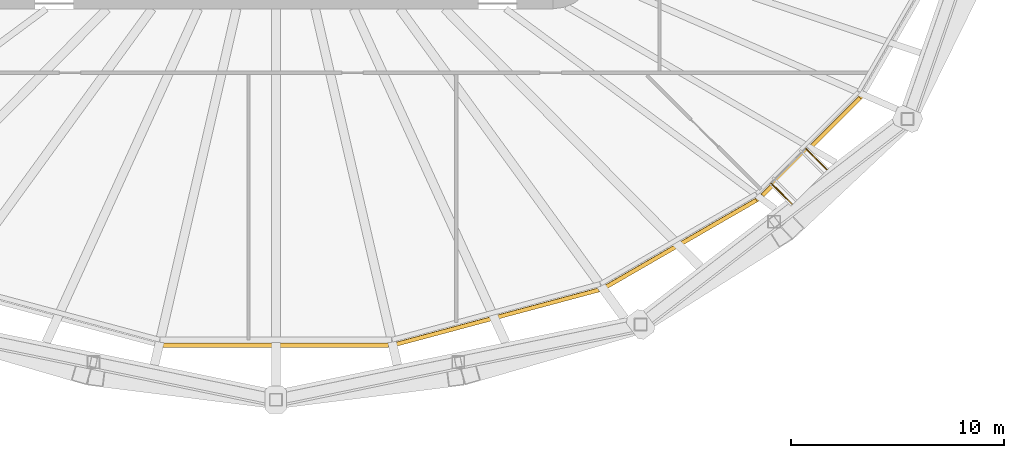
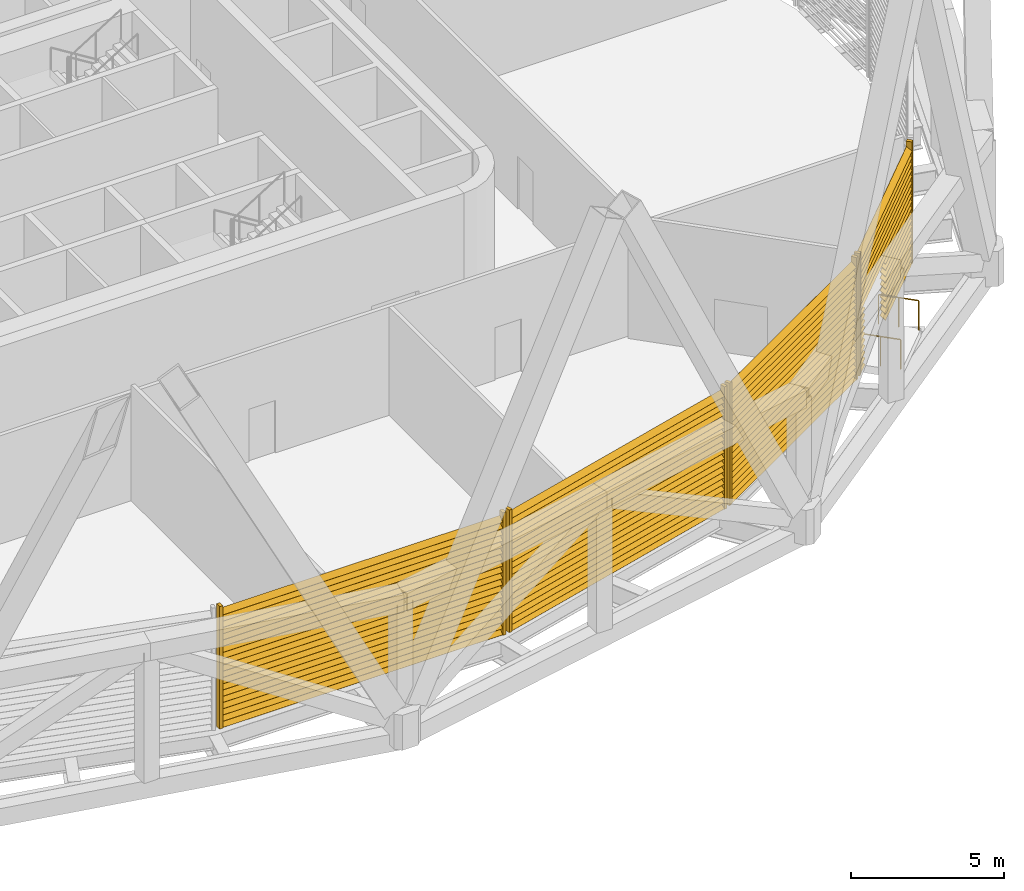
# One storey, part 14 of 18: 4 shading devices, 2 railings.
"""IFC4 building model written with IfcOpenShell, lengths in metres."""

from ifc_helpers import new_model, si_unit, direction, frame, origin, origin_2d, place, context, subcontext, project, spatial, rectangle, circle, extrude, material, type_object, element, save


model = new_model("IFC4")

# Units and contexts
model_context = context("Model", 3, precision=1e-05, world=origin(), true_north=direction((0.0, 1.0)))
body_context = subcontext(model_context, "Body", "Model", "MODEL_VIEW")
ifc_project = project(units=[si_unit("LENGTHUNIT", "METRE"), si_unit("AREAUNIT", "SQUARE_METRE"), si_unit("VOLUMEUNIT", "CUBIC_METRE"), si_unit("PLANEANGLEUNIT", "RADIAN"), si_unit("MASSUNIT", "GRAM", prefix="KILO")], contexts=[model_context])

# Site, building, storey
site_placement = place(None, origin())
site = spatial("IfcSite", under=ifc_project, at=site_placement, CompositionType="ELEMENT")
building_placement = place(site_placement, origin())
building = spatial("IfcBuilding", under=site, at=building_placement, Name="Sahrelin Media Tower", CompositionType="ELEMENT")
storey_placement = place(building_placement, frame((0.0, 0.0, 148.199951171875)))
storey = spatial("IfcBuildingStorey", under=building, at=storey_placement, Name="L30", CompositionType="ELEMENT", Elevation=148.199951171875)

# Railings
ifc_material_1 = material(Name="Stainless steel 316", Category="steel")
railing_type = type_object("IfcRailingType", Name="Maintenance platform guard", PredefinedType="GUARDRAIL", material=ifc_material_1)
railing_1_placement = place(storey_placement, frame((23.2509765625, -16.19580078125, 0.0)))
element("IfcRailing", 1, at=railing_1_placement, inside=storey, type_object=railing_type, Name="Maintenance platform guard L30-21-A", PredefinedType="GUARDRAIL", context=body_context, shape_type="SweptSolid", body=[
    extrude(circle(Radius=0.02392578125, at=origin_2d()), frame((0.0, 0.0, 1.17578125), z_axis=(0.707106781187, -0.707106781187, 0.0), x_axis=(0.707106781187, 0.707106781187, 0.0)), (0.0, 0.0, 1.0), 1.365478515625),
    extrude(circle(Radius=0.02099609375, at=origin_2d()), origin(), (0.0, 0.0, 1.0), 1.15185546875),
    extrude(circle(Radius=0.02099609375, at=origin_2d()), frame((0.48291015625, -0.48291015625, 0.0)), (0.0, 0.0, 1.0), 1.15185546875),
    extrude(circle(Radius=0.02099609375, at=origin_2d()), frame((0.965576171875, -0.965576171875, 0.0)), (0.0, 0.0, 1.0), 1.15185546875),
])
railing_2_placement = place(storey_placement, frame((24.877197265625, -14.569580078125, 0.0)))
element("IfcRailing", 2, at=railing_2_placement, inside=storey, type_object=railing_type, Name="Maintenance platform guard L30-21-B", PredefinedType="GUARDRAIL", context=body_context, shape_type="SweptSolid", body=[
    extrude(circle(Radius=0.02392578125, at=origin_2d()), frame((0.0, 0.0, 1.17578125), z_axis=(0.707285546639, -0.706927970528, 0.0), x_axis=(0.706927970528, 0.707285546639, 0.0)), (0.0, 0.0, 1.0), 1.365478515625),
    extrude(circle(Radius=0.02099609375, at=origin_2d()), origin(), (0.0, 0.0, 1.0), 1.15185546875),
    extrude(circle(Radius=0.02099609375, at=origin_2d()), frame((0.48291015625, -0.482666015625, 0.0)), (0.0, 0.0, 1.0), 1.15185546875),
    extrude(circle(Radius=0.02099609375, at=origin_2d()), frame((0.9658203125, -0.96533203125, 0.0)), (0.0, 0.0, 1.0), 1.15185546875),
])

# Shading devices
ifc_material_2 = material(Name="Champagne anodised aluminium 6063-T6", Category="aluminium")
shading_device_type = type_object("IfcShadingDeviceType", Name="Sand-rejection louvre band", PredefinedType="USERDEFINED", material=ifc_material_2)
shading_device_1_placement = place(storey_placement, frame((0.0, -23.6826171875, 0.0), z_axis=(0.0, 0.0, 1.0), x_axis=(-1.0, 0.0, 0.0)))
element("IfcShadingDevice", 3, at=shading_device_1_placement, inside=storey, type_object=shading_device_type, Name="L30:LOUVRE:L30-18", ObjectType="LOUVRE", PredefinedType="USERDEFINED", context=body_context, shape_type="SweptSolid", body=[
    extrude(rectangle(XDim=0.1201171875, YDim=0.199951171875, at=origin_2d()), frame((5.351318359375, 0.10009765625, 0.050048828125), z_axis=(0.0, 0.0, 1.0), x_axis=(1.0, 0.0, 0.0)), (0.0, 0.0, 1.0), 4.8984375),
    extrude(rectangle(XDim=0.1201171875, YDim=0.199951171875, at=origin_2d()), frame((-5.351318359375, 0.10009765625, 0.050048828125), z_axis=(0.0, 0.0, 1.0), x_axis=(1.0, 0.0, 0.0)), (0.0, 0.0, 1.0), 4.8984375),
    extrude(rectangle(XDim=0.25, YDim=0.02001953125, at=origin_2d()), frame((5.291259765625, 0.10009765625, 0.14990234375), z_axis=(-1.0, 0.0, 0.0), x_axis=(0.0, -0.766044443119, 0.642787609687)), (0.0, 0.0, 1.0), 10.58251953125),
    extrude(rectangle(XDim=0.25, YDim=0.02001953125, at=origin_2d()), frame((5.291259765625, 0.10009765625, 0.39990234375), z_axis=(-1.0, 0.0, 0.0), x_axis=(0.0, -0.766044443119, 0.642787609687)), (0.0, 0.0, 1.0), 10.58251953125),
    extrude(rectangle(XDim=0.25, YDim=0.02001953125, at=origin_2d()), frame((5.291259765625, 0.10009765625, 0.64990234375), z_axis=(-1.0, 0.0, 0.0), x_axis=(0.0, -0.766044443119, 0.642787609687)), (0.0, 0.0, 1.0), 10.58251953125),
    extrude(rectangle(XDim=0.25, YDim=0.02001953125, at=origin_2d()), frame((5.291259765625, 0.10009765625, 0.89990234375), z_axis=(-1.0, 0.0, 0.0), x_axis=(0.0, -0.766044443119, 0.642787609687)), (0.0, 0.0, 1.0), 10.58251953125),
    extrude(rectangle(XDim=0.25, YDim=0.02001953125, at=origin_2d()), frame((5.291259765625, 0.10009765625, 1.14990234375), z_axis=(-1.0, 0.0, 0.0), x_axis=(0.0, -0.766044443119, 0.642787609687)), (0.0, 0.0, 1.0), 10.58251953125),
    extrude(rectangle(XDim=0.25, YDim=0.02001953125, at=origin_2d()), frame((5.291259765625, 0.10009765625, 1.39990234375), z_axis=(-1.0, 0.0, 0.0), x_axis=(0.0, -0.766044443119, 0.642787609687)), (0.0, 0.0, 1.0), 10.58251953125),
    extrude(rectangle(XDim=0.25, YDim=0.02001953125, at=origin_2d()), frame((5.291259765625, 0.10009765625, 1.64990234375), z_axis=(-1.0, 0.0, 0.0), x_axis=(0.0, -0.766044443119, 0.642787609687)), (0.0, 0.0, 1.0), 10.58251953125),
    extrude(rectangle(XDim=0.25, YDim=0.02001953125, at=origin_2d()), frame((5.291259765625, 0.10009765625, 1.89990234375), z_axis=(-1.0, 0.0, 0.0), x_axis=(0.0, -0.766044443119, 0.642787609687)), (0.0, 0.0, 1.0), 10.58251953125),
    extrude(rectangle(XDim=0.25, YDim=0.02001953125, at=origin_2d()), frame((5.291259765625, 0.10009765625, 2.14990234375), z_axis=(-1.0, 0.0, 0.0), x_axis=(0.0, -0.766044443119, 0.642787609687)), (0.0, 0.0, 1.0), 10.58251953125),
    extrude(rectangle(XDim=0.25, YDim=0.02001953125, at=origin_2d()), frame((5.291259765625, 0.10009765625, 2.39990234375), z_axis=(-1.0, 0.0, 0.0), x_axis=(0.0, -0.766044443119, 0.642787609687)), (0.0, 0.0, 1.0), 10.58251953125),
    extrude(rectangle(XDim=0.25, YDim=0.02001953125, at=origin_2d()), frame((5.291259765625, 0.10009765625, 2.64990234375), z_axis=(-1.0, 0.0, 0.0), x_axis=(0.0, -0.766044443119, 0.642787609687)), (0.0, 0.0, 1.0), 10.58251953125),
    extrude(rectangle(XDim=0.25, YDim=0.02001953125, at=origin_2d()), frame((5.291259765625, 0.10009765625, 2.89990234375), z_axis=(-1.0, 0.0, 0.0), x_axis=(0.0, -0.766044443119, 0.642787609687)), (0.0, 0.0, 1.0), 10.58251953125),
    extrude(rectangle(XDim=0.25, YDim=0.02001953125, at=origin_2d()), frame((5.291259765625, 0.10009765625, 3.14990234375), z_axis=(-1.0, 0.0, 0.0), x_axis=(0.0, -0.766044443119, 0.642787609687)), (0.0, 0.0, 1.0), 10.58251953125),
    extrude(rectangle(XDim=0.25, YDim=0.02001953125, at=origin_2d()), frame((5.291259765625, 0.10009765625, 3.39990234375), z_axis=(-1.0, 0.0, 0.0), x_axis=(0.0, -0.766044443119, 0.642787609687)), (0.0, 0.0, 1.0), 10.58251953125),
    extrude(rectangle(XDim=0.25, YDim=0.02001953125, at=origin_2d()), frame((5.291259765625, 0.10009765625, 3.64990234375), z_axis=(-1.0, 0.0, 0.0), x_axis=(0.0, -0.766044443119, 0.642787609687)), (0.0, 0.0, 1.0), 10.58251953125),
    extrude(rectangle(XDim=0.25, YDim=0.02001953125, at=origin_2d()), frame((5.291259765625, 0.10009765625, 3.89990234375), z_axis=(-1.0, 0.0, 0.0), x_axis=(0.0, -0.766044443119, 0.642787609687)), (0.0, 0.0, 1.0), 10.58251953125),
    extrude(rectangle(XDim=0.25, YDim=0.02001953125, at=origin_2d()), frame((5.291259765625, 0.10009765625, 4.14990234375), z_axis=(-1.0, 0.0, 0.0), x_axis=(0.0, -0.766044443119, 0.642787609687)), (0.0, 0.0, 1.0), 10.58251953125),
    extrude(rectangle(XDim=0.25, YDim=0.02001953125, at=origin_2d()), frame((5.291259765625, 0.10009765625, 4.39990234375), z_axis=(-1.0, 0.0, 0.0), x_axis=(0.0, -0.766044443119, 0.642787609687)), (0.0, 0.0, 1.0), 10.58251953125),
    extrude(rectangle(XDim=0.25, YDim=0.02001953125, at=origin_2d()), frame((5.291259765625, 0.10009765625, 4.64990234375), z_axis=(-1.0, 0.0, 0.0), x_axis=(0.0, -0.766044443119, 0.642787609687)), (0.0, 0.0, 1.0), 10.58251953125),
])
shading_device_2_placement = place(storey_placement, frame((10.375, -22.36572265625, 0.0), z_axis=(0.0, 0.0, 1.0), x_axis=(-0.965928857556, -0.258807731996, 0.0)))
element("IfcShadingDevice", 4, at=shading_device_2_placement, inside=storey, type_object=shading_device_type, Name="L30:LOUVRE:L30-19", ObjectType="LOUVRE", PredefinedType="USERDEFINED", context=body_context, shape_type="SweptSolid", body=[
    extrude(rectangle(XDim=0.1201171875, YDim=0.199951171875, at=origin_2d()), frame((4.977294921875, 0.10009765625, 0.050048828125), z_axis=(0.0, 0.0, 1.0), x_axis=(1.0, 0.0, 0.0)), (0.0, 0.0, 1.0), 4.8984375),
    extrude(rectangle(XDim=0.1201171875, YDim=0.199951171875, at=origin_2d()), frame((-4.977294921875, 0.10009765625, 0.050048828125), z_axis=(0.0, 0.0, 1.0), x_axis=(1.0, 0.0, 0.0)), (0.0, 0.0, 1.0), 4.8984375),
    extrude(rectangle(XDim=0.25, YDim=0.02001953125, at=origin_2d()), frame((4.917236328125, 0.10009765625, 0.14990234375), z_axis=(-1.0, 0.0, 0.0), x_axis=(0.0, -0.766044443119, 0.642787609687)), (0.0, 0.0, 1.0), 9.83447265625),
    extrude(rectangle(XDim=0.25, YDim=0.02001953125, at=origin_2d()), frame((4.917236328125, 0.10009765625, 0.39990234375), z_axis=(-1.0, 0.0, 0.0), x_axis=(0.0, -0.766044443119, 0.642787609687)), (0.0, 0.0, 1.0), 9.83447265625),
    extrude(rectangle(XDim=0.25, YDim=0.02001953125, at=origin_2d()), frame((4.917236328125, 0.10009765625, 0.64990234375), z_axis=(-1.0, 0.0, 0.0), x_axis=(0.0, -0.766044443119, 0.642787609687)), (0.0, 0.0, 1.0), 9.83447265625),
    extrude(rectangle(XDim=0.25, YDim=0.02001953125, at=origin_2d()), frame((4.917236328125, 0.10009765625, 0.89990234375), z_axis=(-1.0, 0.0, 0.0), x_axis=(0.0, -0.766044443119, 0.642787609687)), (0.0, 0.0, 1.0), 9.83447265625),
    extrude(rectangle(XDim=0.25, YDim=0.02001953125, at=origin_2d()), frame((4.917236328125, 0.10009765625, 1.14990234375), z_axis=(-1.0, 0.0, 0.0), x_axis=(0.0, -0.766044443119, 0.642787609687)), (0.0, 0.0, 1.0), 9.83447265625),
    extrude(rectangle(XDim=0.25, YDim=0.02001953125, at=origin_2d()), frame((4.917236328125, 0.10009765625, 1.39990234375), z_axis=(-1.0, 0.0, 0.0), x_axis=(0.0, -0.766044443119, 0.642787609687)), (0.0, 0.0, 1.0), 9.83447265625),
    extrude(rectangle(XDim=0.25, YDim=0.02001953125, at=origin_2d()), frame((4.917236328125, 0.10009765625, 1.64990234375), z_axis=(-1.0, 0.0, 0.0), x_axis=(0.0, -0.766044443119, 0.642787609687)), (0.0, 0.0, 1.0), 9.83447265625),
    extrude(rectangle(XDim=0.25, YDim=0.02001953125, at=origin_2d()), frame((4.917236328125, 0.10009765625, 1.89990234375), z_axis=(-1.0, 0.0, 0.0), x_axis=(0.0, -0.766044443119, 0.642787609687)), (0.0, 0.0, 1.0), 9.83447265625),
    extrude(rectangle(XDim=0.25, YDim=0.02001953125, at=origin_2d()), frame((4.917236328125, 0.10009765625, 2.14990234375), z_axis=(-1.0, 0.0, 0.0), x_axis=(0.0, -0.766044443119, 0.642787609687)), (0.0, 0.0, 1.0), 9.83447265625),
    extrude(rectangle(XDim=0.25, YDim=0.02001953125, at=origin_2d()), frame((4.917236328125, 0.10009765625, 2.39990234375), z_axis=(-1.0, 0.0, 0.0), x_axis=(0.0, -0.766044443119, 0.642787609687)), (0.0, 0.0, 1.0), 9.83447265625),
    extrude(rectangle(XDim=0.25, YDim=0.02001953125, at=origin_2d()), frame((4.917236328125, 0.10009765625, 2.64990234375), z_axis=(-1.0, 0.0, 0.0), x_axis=(0.0, -0.766044443119, 0.642787609687)), (0.0, 0.0, 1.0), 9.83447265625),
    extrude(rectangle(XDim=0.25, YDim=0.02001953125, at=origin_2d()), frame((4.917236328125, 0.10009765625, 2.89990234375), z_axis=(-1.0, 0.0, 0.0), x_axis=(0.0, -0.766044443119, 0.642787609687)), (0.0, 0.0, 1.0), 9.83447265625),
    extrude(rectangle(XDim=0.25, YDim=0.02001953125, at=origin_2d()), frame((4.917236328125, 0.10009765625, 3.14990234375), z_axis=(-1.0, 0.0, 0.0), x_axis=(0.0, -0.766044443119, 0.642787609687)), (0.0, 0.0, 1.0), 9.83447265625),
    extrude(rectangle(XDim=0.25, YDim=0.02001953125, at=origin_2d()), frame((4.917236328125, 0.10009765625, 3.39990234375), z_axis=(-1.0, 0.0, 0.0), x_axis=(0.0, -0.766044443119, 0.642787609687)), (0.0, 0.0, 1.0), 9.83447265625),
    extrude(rectangle(XDim=0.25, YDim=0.02001953125, at=origin_2d()), frame((4.917236328125, 0.10009765625, 3.64990234375), z_axis=(-1.0, 0.0, 0.0), x_axis=(0.0, -0.766044443119, 0.642787609687)), (0.0, 0.0, 1.0), 9.83447265625),
    extrude(rectangle(XDim=0.25, YDim=0.02001953125, at=origin_2d()), frame((4.917236328125, 0.10009765625, 3.89990234375), z_axis=(-1.0, 0.0, 0.0), x_axis=(0.0, -0.766044443119, 0.642787609687)), (0.0, 0.0, 1.0), 9.83447265625),
    extrude(rectangle(XDim=0.25, YDim=0.02001953125, at=origin_2d()), frame((4.917236328125, 0.10009765625, 4.14990234375), z_axis=(-1.0, 0.0, 0.0), x_axis=(0.0, -0.766044443119, 0.642787609687)), (0.0, 0.0, 1.0), 9.83447265625),
    extrude(rectangle(XDim=0.25, YDim=0.02001953125, at=origin_2d()), frame((4.917236328125, 0.10009765625, 4.39990234375), z_axis=(-1.0, 0.0, 0.0), x_axis=(0.0, -0.766044443119, 0.642787609687)), (0.0, 0.0, 1.0), 9.83447265625),
    extrude(rectangle(XDim=0.25, YDim=0.02001953125, at=origin_2d()), frame((4.917236328125, 0.10009765625, 4.64990234375), z_axis=(-1.0, 0.0, 0.0), x_axis=(0.0, -0.766044443119, 0.642787609687)), (0.0, 0.0, 1.0), 9.83447265625),
])
shading_device_3_placement = place(storey_placement, frame((18.966552734375, -18.926025390625, 0.0), z_axis=(0.0, 0.0, 1.0), x_axis=(-0.866019052629, -0.500011000363, 0.0)))
element("IfcShadingDevice", 5, at=shading_device_3_placement, inside=storey, type_object=shading_device_type, Name="L30:LOUVRE:L30-20", ObjectType="LOUVRE", PredefinedType="USERDEFINED", context=body_context, shape_type="SweptSolid", body=[
    extrude(rectangle(XDim=0.1201171875, YDim=0.199951171875, at=origin_2d()), frame((4.136474609375, 0.10009765625, 0.050048828125), z_axis=(0.0, 0.0, 1.0), x_axis=(1.0, 0.0, 0.0)), (0.0, 0.0, 1.0), 4.8984375),
    extrude(rectangle(XDim=0.1201171875, YDim=0.199951171875, at=origin_2d()), frame((-4.136474609375, 0.10009765625, 0.050048828125), z_axis=(0.0, 0.0, 1.0), x_axis=(1.0, 0.0, 0.0)), (0.0, 0.0, 1.0), 4.8984375),
    extrude(rectangle(XDim=0.25, YDim=0.02001953125, at=origin_2d()), frame((4.076416015625, 0.10009765625, 0.14990234375), z_axis=(-1.0, 0.0, 0.0), x_axis=(0.0, -0.766044443119, 0.642787609687)), (0.0, 0.0, 1.0), 8.15283203125),
    extrude(rectangle(XDim=0.25, YDim=0.02001953125, at=origin_2d()), frame((4.076416015625, 0.10009765625, 0.39990234375), z_axis=(-1.0, 0.0, 0.0), x_axis=(0.0, -0.766044443119, 0.642787609687)), (0.0, 0.0, 1.0), 8.15283203125),
    extrude(rectangle(XDim=0.25, YDim=0.02001953125, at=origin_2d()), frame((4.076416015625, 0.10009765625, 0.64990234375), z_axis=(-1.0, 0.0, 0.0), x_axis=(0.0, -0.766044443119, 0.642787609687)), (0.0, 0.0, 1.0), 8.15283203125),
    extrude(rectangle(XDim=0.25, YDim=0.02001953125, at=origin_2d()), frame((4.076416015625, 0.10009765625, 0.89990234375), z_axis=(-1.0, 0.0, 0.0), x_axis=(0.0, -0.766044443119, 0.642787609687)), (0.0, 0.0, 1.0), 8.15283203125),
    extrude(rectangle(XDim=0.25, YDim=0.02001953125, at=origin_2d()), frame((4.076416015625, 0.10009765625, 1.14990234375), z_axis=(-1.0, 0.0, 0.0), x_axis=(0.0, -0.766044443119, 0.642787609687)), (0.0, 0.0, 1.0), 8.15283203125),
    extrude(rectangle(XDim=0.25, YDim=0.02001953125, at=origin_2d()), frame((4.076416015625, 0.10009765625, 1.39990234375), z_axis=(-1.0, 0.0, 0.0), x_axis=(0.0, -0.766044443119, 0.642787609687)), (0.0, 0.0, 1.0), 8.15283203125),
    extrude(rectangle(XDim=0.25, YDim=0.02001953125, at=origin_2d()), frame((4.076416015625, 0.10009765625, 1.64990234375), z_axis=(-1.0, 0.0, 0.0), x_axis=(0.0, -0.766044443119, 0.642787609687)), (0.0, 0.0, 1.0), 8.15283203125),
    extrude(rectangle(XDim=0.25, YDim=0.02001953125, at=origin_2d()), frame((4.076416015625, 0.10009765625, 1.89990234375), z_axis=(-1.0, 0.0, 0.0), x_axis=(0.0, -0.766044443119, 0.642787609687)), (0.0, 0.0, 1.0), 8.15283203125),
    extrude(rectangle(XDim=0.25, YDim=0.02001953125, at=origin_2d()), frame((4.076416015625, 0.10009765625, 2.14990234375), z_axis=(-1.0, 0.0, 0.0), x_axis=(0.0, -0.766044443119, 0.642787609687)), (0.0, 0.0, 1.0), 8.15283203125),
    extrude(rectangle(XDim=0.25, YDim=0.02001953125, at=origin_2d()), frame((4.076416015625, 0.10009765625, 2.39990234375), z_axis=(-1.0, 0.0, 0.0), x_axis=(0.0, -0.766044443119, 0.642787609687)), (0.0, 0.0, 1.0), 8.15283203125),
    extrude(rectangle(XDim=0.25, YDim=0.02001953125, at=origin_2d()), frame((4.076416015625, 0.10009765625, 2.64990234375), z_axis=(-1.0, 0.0, 0.0), x_axis=(0.0, -0.766044443119, 0.642787609687)), (0.0, 0.0, 1.0), 8.15283203125),
    extrude(rectangle(XDim=0.25, YDim=0.02001953125, at=origin_2d()), frame((4.076416015625, 0.10009765625, 2.89990234375), z_axis=(-1.0, 0.0, 0.0), x_axis=(0.0, -0.766044443119, 0.642787609687)), (0.0, 0.0, 1.0), 8.15283203125),
    extrude(rectangle(XDim=0.25, YDim=0.02001953125, at=origin_2d()), frame((4.076416015625, 0.10009765625, 3.14990234375), z_axis=(-1.0, 0.0, 0.0), x_axis=(0.0, -0.766044443119, 0.642787609687)), (0.0, 0.0, 1.0), 8.15283203125),
    extrude(rectangle(XDim=0.25, YDim=0.02001953125, at=origin_2d()), frame((4.076416015625, 0.10009765625, 3.39990234375), z_axis=(-1.0, 0.0, 0.0), x_axis=(0.0, -0.766044443119, 0.642787609687)), (0.0, 0.0, 1.0), 8.15283203125),
    extrude(rectangle(XDim=0.25, YDim=0.02001953125, at=origin_2d()), frame((4.076416015625, 0.10009765625, 3.64990234375), z_axis=(-1.0, 0.0, 0.0), x_axis=(0.0, -0.766044443119, 0.642787609687)), (0.0, 0.0, 1.0), 8.15283203125),
    extrude(rectangle(XDim=0.25, YDim=0.02001953125, at=origin_2d()), frame((4.076416015625, 0.10009765625, 3.89990234375), z_axis=(-1.0, 0.0, 0.0), x_axis=(0.0, -0.766044443119, 0.642787609687)), (0.0, 0.0, 1.0), 8.15283203125),
    extrude(rectangle(XDim=0.25, YDim=0.02001953125, at=origin_2d()), frame((4.076416015625, 0.10009765625, 4.14990234375), z_axis=(-1.0, 0.0, 0.0), x_axis=(0.0, -0.766044443119, 0.642787609687)), (0.0, 0.0, 1.0), 8.15283203125),
    extrude(rectangle(XDim=0.25, YDim=0.02001953125, at=origin_2d()), frame((4.076416015625, 0.10009765625, 4.39990234375), z_axis=(-1.0, 0.0, 0.0), x_axis=(0.0, -0.766044443119, 0.642787609687)), (0.0, 0.0, 1.0), 8.15283203125),
    extrude(rectangle(XDim=0.25, YDim=0.02001953125, at=origin_2d()), frame((4.076416015625, 0.10009765625, 4.64990234375), z_axis=(-1.0, 0.0, 0.0), x_axis=(0.0, -0.766044443119, 0.642787609687)), (0.0, 0.0, 1.0), 8.15283203125),
])
shading_device_4_placement = place(storey_placement, frame((25.05419921875, -14.392822265625, 0.0), z_axis=(0.0, 0.0, 1.0), x_axis=(-0.707106781187, -0.707106781187, 0.0)))
element("IfcShadingDevice", 6, at=shading_device_4_placement, inside=storey, type_object=shading_device_type, Name="L30:LOUVRE:L30-21", ObjectType="LOUVRE", PredefinedType="USERDEFINED", context=body_context, shape_type="SweptSolid", body=[
    extrude(rectangle(XDim=0.1201171875, YDim=0.199951171875, at=origin_2d()), frame((3.298095703125, 0.10009765625, 0.050048828125), z_axis=(0.0, 0.0, 1.0), x_axis=(1.0, 0.0, 0.0)), (0.0, 0.0, 1.0), 4.8984375),
    extrude(rectangle(XDim=0.1201171875, YDim=0.199951171875, at=origin_2d()), frame((-3.298095703125, 0.10009765625, 0.050048828125), z_axis=(0.0, 0.0, 1.0), x_axis=(1.0, 0.0, 0.0)), (0.0, 0.0, 1.0), 4.8984375),
    extrude(rectangle(XDim=0.25, YDim=0.02001953125, at=origin_2d()), frame((3.23828125, 0.10009765625, 0.14990234375), z_axis=(-1.0, 0.0, 0.0), x_axis=(0.0, -0.766044443119, 0.642787609687)), (0.0, 0.0, 1.0), 0.538330078125),
    extrude(rectangle(XDim=0.25, YDim=0.02001953125, at=origin_2d()), frame((0.099853515625, 0.10009765625, 0.14990234375), z_axis=(-1.0, 0.0, 0.0), x_axis=(0.0, -0.766044443119, 0.642787609687)), (0.0, 0.0, 1.0), 3.338134765625),
    extrude(rectangle(XDim=0.25, YDim=0.02001953125, at=origin_2d()), frame((3.23828125, 0.10009765625, 0.39990234375), z_axis=(-1.0, 0.0, 0.0), x_axis=(0.0, -0.766044443119, 0.642787609687)), (0.0, 0.0, 1.0), 0.538330078125),
    extrude(rectangle(XDim=0.25, YDim=0.02001953125, at=origin_2d()), frame((0.099853515625, 0.10009765625, 0.39990234375), z_axis=(-1.0, 0.0, 0.0), x_axis=(0.0, -0.766044443119, 0.642787609687)), (0.0, 0.0, 1.0), 3.338134765625),
    extrude(rectangle(XDim=0.25, YDim=0.02001953125, at=origin_2d()), frame((3.23828125, 0.10009765625, 0.64990234375), z_axis=(-1.0, 0.0, 0.0), x_axis=(0.0, -0.766044443119, 0.642787609687)), (0.0, 0.0, 1.0), 0.538330078125),
    extrude(rectangle(XDim=0.25, YDim=0.02001953125, at=origin_2d()), frame((0.099853515625, 0.10009765625, 0.64990234375), z_axis=(-1.0, 0.0, 0.0), x_axis=(0.0, -0.766044443119, 0.642787609687)), (0.0, 0.0, 1.0), 3.338134765625),
    extrude(rectangle(XDim=0.25, YDim=0.02001953125, at=origin_2d()), frame((3.23828125, 0.10009765625, 0.89990234375), z_axis=(-1.0, 0.0, 0.0), x_axis=(0.0, -0.766044443119, 0.642787609687)), (0.0, 0.0, 1.0), 0.538330078125),
    extrude(rectangle(XDim=0.25, YDim=0.02001953125, at=origin_2d()), frame((0.099853515625, 0.10009765625, 0.89990234375), z_axis=(-1.0, 0.0, 0.0), x_axis=(0.0, -0.766044443119, 0.642787609687)), (0.0, 0.0, 1.0), 3.338134765625),
    extrude(rectangle(XDim=0.25, YDim=0.02001953125, at=origin_2d()), frame((3.23828125, 0.10009765625, 1.14990234375), z_axis=(-1.0, 0.0, 0.0), x_axis=(0.0, -0.766044443119, 0.642787609687)), (0.0, 0.0, 1.0), 0.538330078125),
    extrude(rectangle(XDim=0.25, YDim=0.02001953125, at=origin_2d()), frame((0.099853515625, 0.10009765625, 1.14990234375), z_axis=(-1.0, 0.0, 0.0), x_axis=(0.0, -0.766044443119, 0.642787609687)), (0.0, 0.0, 1.0), 3.338134765625),
    extrude(rectangle(XDim=0.25, YDim=0.02001953125, at=origin_2d()), frame((3.23828125, 0.10009765625, 1.39990234375), z_axis=(-1.0, 0.0, 0.0), x_axis=(0.0, -0.766044443119, 0.642787609687)), (0.0, 0.0, 1.0), 0.538330078125),
    extrude(rectangle(XDim=0.25, YDim=0.02001953125, at=origin_2d()), frame((0.099853515625, 0.10009765625, 1.39990234375), z_axis=(-1.0, 0.0, 0.0), x_axis=(0.0, -0.766044443119, 0.642787609687)), (0.0, 0.0, 1.0), 3.338134765625),
    extrude(rectangle(XDim=0.25, YDim=0.02001953125, at=origin_2d()), frame((3.23828125, 0.10009765625, 1.64990234375), z_axis=(-1.0, 0.0, 0.0), x_axis=(0.0, -0.766044443119, 0.642787609687)), (0.0, 0.0, 1.0), 0.538330078125),
    extrude(rectangle(XDim=0.25, YDim=0.02001953125, at=origin_2d()), frame((0.099853515625, 0.10009765625, 1.64990234375), z_axis=(-1.0, 0.0, 0.0), x_axis=(0.0, -0.766044443119, 0.642787609687)), (0.0, 0.0, 1.0), 3.338134765625),
    extrude(rectangle(XDim=0.25, YDim=0.02001953125, at=origin_2d()), frame((3.23828125, 0.10009765625, 1.89990234375), z_axis=(-1.0, 0.0, 0.0), x_axis=(0.0, -0.766044443119, 0.642787609687)), (0.0, 0.0, 1.0), 0.538330078125),
    extrude(rectangle(XDim=0.25, YDim=0.02001953125, at=origin_2d()), frame((0.099853515625, 0.10009765625, 1.89990234375), z_axis=(-1.0, 0.0, 0.0), x_axis=(0.0, -0.766044443119, 0.642787609687)), (0.0, 0.0, 1.0), 3.338134765625),
    extrude(rectangle(XDim=0.25, YDim=0.02001953125, at=origin_2d()), frame((3.23828125, 0.10009765625, 2.14990234375), z_axis=(-1.0, 0.0, 0.0), x_axis=(0.0, -0.766044443119, 0.642787609687)), (0.0, 0.0, 1.0), 0.538330078125),
    extrude(rectangle(XDim=0.25, YDim=0.02001953125, at=origin_2d()), frame((0.099853515625, 0.10009765625, 2.14990234375), z_axis=(-1.0, 0.0, 0.0), x_axis=(0.0, -0.766044443119, 0.642787609687)), (0.0, 0.0, 1.0), 3.338134765625),
    extrude(rectangle(XDim=0.25, YDim=0.02001953125, at=origin_2d()), frame((3.23828125, 0.10009765625, 2.39990234375), z_axis=(-1.0, 0.0, 0.0), x_axis=(0.0, -0.766044443119, 0.642787609687)), (0.0, 0.0, 1.0), 0.538330078125),
    extrude(rectangle(XDim=0.25, YDim=0.02001953125, at=origin_2d()), frame((0.099853515625, 0.10009765625, 2.39990234375), z_axis=(-1.0, 0.0, 0.0), x_axis=(0.0, -0.766044443119, 0.642787609687)), (0.0, 0.0, 1.0), 3.338134765625),
    extrude(rectangle(XDim=0.25, YDim=0.02001953125, at=origin_2d()), frame((3.23828125, 0.10009765625, 2.64990234375), z_axis=(-1.0, 0.0, 0.0), x_axis=(0.0, -0.766044443119, 0.642787609687)), (0.0, 0.0, 1.0), 6.4765625),
    extrude(rectangle(XDim=0.25, YDim=0.02001953125, at=origin_2d()), frame((3.23828125, 0.10009765625, 2.89990234375), z_axis=(-1.0, 0.0, 0.0), x_axis=(0.0, -0.766044443119, 0.642787609687)), (0.0, 0.0, 1.0), 6.4765625),
    extrude(rectangle(XDim=0.25, YDim=0.02001953125, at=origin_2d()), frame((3.23828125, 0.10009765625, 3.14990234375), z_axis=(-1.0, 0.0, 0.0), x_axis=(0.0, -0.766044443119, 0.642787609687)), (0.0, 0.0, 1.0), 6.4765625),
    extrude(rectangle(XDim=0.25, YDim=0.02001953125, at=origin_2d()), frame((3.23828125, 0.10009765625, 3.39990234375), z_axis=(-1.0, 0.0, 0.0), x_axis=(0.0, -0.766044443119, 0.642787609687)), (0.0, 0.0, 1.0), 6.4765625),
    extrude(rectangle(XDim=0.25, YDim=0.02001953125, at=origin_2d()), frame((3.23828125, 0.10009765625, 3.64990234375), z_axis=(-1.0, 0.0, 0.0), x_axis=(0.0, -0.766044443119, 0.642787609687)), (0.0, 0.0, 1.0), 6.4765625),
    extrude(rectangle(XDim=0.25, YDim=0.02001953125, at=origin_2d()), frame((3.23828125, 0.10009765625, 3.89990234375), z_axis=(-1.0, 0.0, 0.0), x_axis=(0.0, -0.766044443119, 0.642787609687)), (0.0, 0.0, 1.0), 6.4765625),
    extrude(rectangle(XDim=0.25, YDim=0.02001953125, at=origin_2d()), frame((3.23828125, 0.10009765625, 4.14990234375), z_axis=(-1.0, 0.0, 0.0), x_axis=(0.0, -0.766044443119, 0.642787609687)), (0.0, 0.0, 1.0), 6.4765625),
    extrude(rectangle(XDim=0.25, YDim=0.02001953125, at=origin_2d()), frame((3.23828125, 0.10009765625, 4.39990234375), z_axis=(-1.0, 0.0, 0.0), x_axis=(0.0, -0.766044443119, 0.642787609687)), (0.0, 0.0, 1.0), 6.4765625),
    extrude(rectangle(XDim=0.25, YDim=0.02001953125, at=origin_2d()), frame((3.23828125, 0.10009765625, 4.64990234375), z_axis=(-1.0, 0.0, 0.0), x_axis=(0.0, -0.766044443119, 0.642787609687)), (0.0, 0.0, 1.0), 6.4765625),
])

save(model, "model.ifc")
